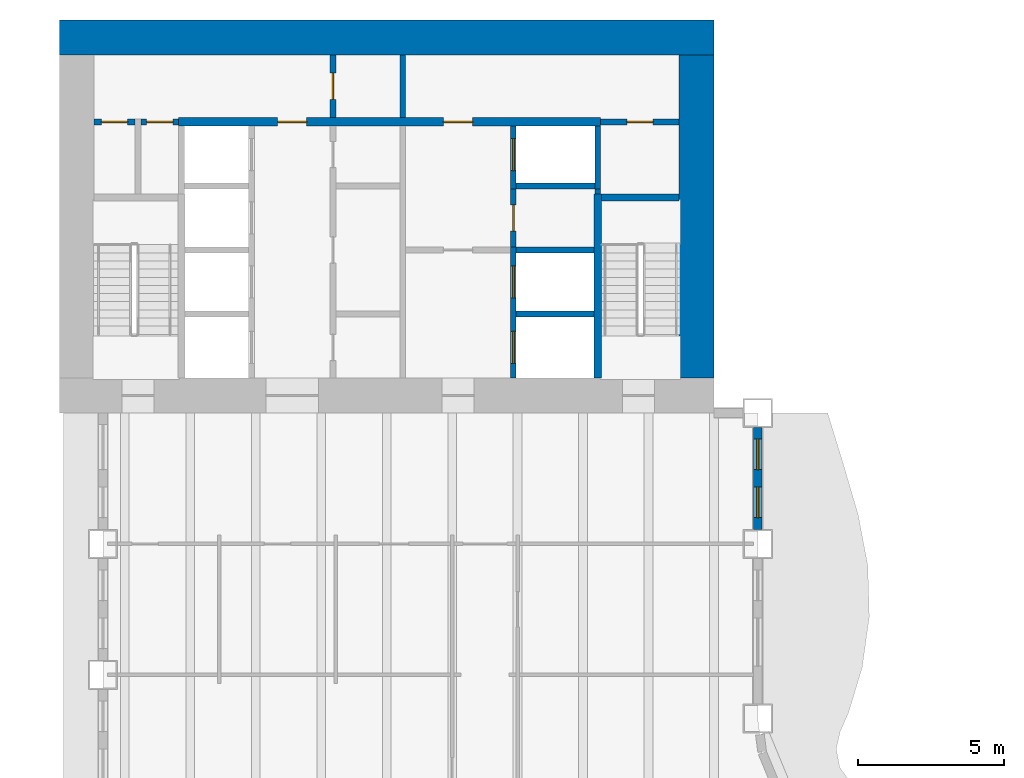
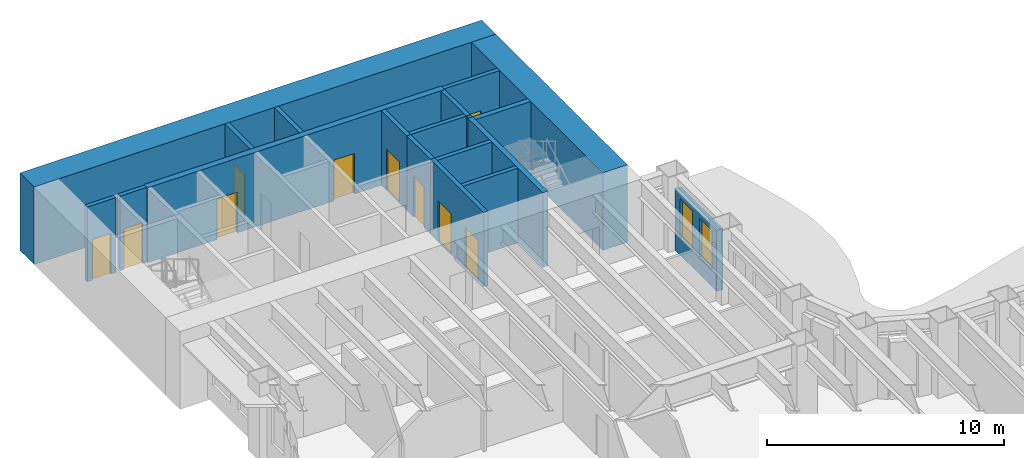
# One storey, part 9 of 16: 19 walls, 10 doors, 2 windows, 12 openings.
"""IFC4 building model written with IfcOpenShell, lengths in metres."""

import ifcopenshell
import ifcopenshell.guid

model = None  # the IFC model being written
_history = None  # IfcOwnerHistory: only IFC2X3 demands one
_inside = {}  # id of a spatial element -> (the spatial element, [elements in it])
_under = {}  # id of a project, library or spatial element -> (it, [spatial elements below it])
_declared = {}  # id of a project -> (the project, [libraries it declares])
_typed = {}  # id of a type object -> (the type object, [elements of that type])
_made_of = {}  # id of a material, layer set ... -> (it, [elements and type objects made of it])


def new_model(schema):
    """Start an empty IFC model of exactly this schema.

    Asked for "IFC4X3", IfcOpenShell would pick the latest addendum, in which some entities
    have other attributes; the version numbers below select the first issue.
    IFC2X3 requires an IfcOwnerHistory on every rooted entity: one is made here for all.
    """
    global model, _history
    if schema == "IFC4X3":
        model = ifcopenshell.file(schema_version=(4, 3, 0, 0))
    else:
        model = ifcopenshell.file(schema=schema)
    _inside.clear()
    _under.clear()
    _declared.clear()
    _typed.clear()
    _made_of.clear()
    _history = None
    if model.schema == "IFC2X3":
        org = make("IfcOrganization", Name="unknown")
        user = make(
            "IfcPersonAndOrganization",
            ThePerson=make("IfcPerson", FamilyName="unknown"),
            TheOrganization=org,
        )
        app = make(
            "IfcApplication",
            ApplicationDeveloper=org,
            Version="unknown",
            ApplicationFullName="unknown",
            ApplicationIdentifier="unknown",
        )
        _history = make(
            "IfcOwnerHistory",
            OwningUser=user,
            OwningApplication=app,
            ChangeAction="ADDED",
            CreationDate=0,
        )
    return model


def make(cls, **values):
    """One entity of the class cls with the attributes given. An attribute that is None is left unset."""
    return model.create_entity(
        cls, **{name: value for name, value in values.items() if value is not None}
    )


def rooted(cls, **values):
    """An entity with a GlobalId (a new one), such as an element, a storey or a relation."""
    return make(cls, GlobalId=ifcopenshell.guid.new(), OwnerHistory=_history, **values)


def si_unit(unit_type, name, prefix=None):
    """IfcSIUnit, for example si_unit("LENGTHUNIT", "METRE", prefix="MILLI")."""
    return make("IfcSIUnit", UnitType=unit_type, Prefix=prefix, Name=name)


def assignment(units):
    """IfcUnitAssignment: the units of a project."""
    return None if units is None else make("IfcUnitAssignment", Units=units)


def point(xyz):
    """IfcCartesianPoint."""
    return None if xyz is None else make("IfcCartesianPoint", Coordinates=xyz)


def direction(xyz):
    """IfcDirection."""
    return None if xyz is None else make("IfcDirection", DirectionRatios=xyz)


def frame(location, z_axis=None, x_axis=None):
    """IfcAxis2Placement3D, a coordinate frame: its origin and axes. An axis left out is left unset."""
    return make(
        "IfcAxis2Placement3D",
        Location=point(location),
        Axis=direction(z_axis),
        RefDirection=direction(x_axis),
    )


def frame_2d(location, x_axis=None):
    """IfcAxis2Placement2D, a coordinate frame in the plane: its origin and x axis."""
    return make(
        "IfcAxis2Placement2D", Location=point(location), RefDirection=direction(x_axis)
    )


def origin():
    """The frame at (0, 0, 0) with its axes left unset."""
    return frame((0.0, 0.0, 0.0))


def place(relative_to, where):
    """IfcLocalPlacement: puts the frame where relative to a parent placement (None: the world)."""
    return make(
        "IfcLocalPlacement", PlacementRelTo=relative_to, RelativePlacement=where
    )


def context(
    kind, dimensions, precision=None, world=None, true_north=None, identifier=None
):
    """IfcGeometricRepresentationContext, for example the 3D "Model" context."""
    return make(
        "IfcGeometricRepresentationContext",
        ContextIdentifier=identifier,
        ContextType=kind,
        CoordinateSpaceDimension=dimensions,
        Precision=precision,
        WorldCoordinateSystem=world,
        TrueNorth=true_north,
    )


def subcontext(parent, identifier, kind, view, scale=None):
    """IfcGeometricRepresentationSubContext, for example "Body" below "Model"."""
    return make(
        "IfcGeometricRepresentationSubContext",
        ContextIdentifier=identifier,
        ContextType=kind,
        ParentContext=parent,
        TargetScale=scale,
        TargetView=view,
    )


def project(units=None, contexts=None):
    """IfcProject with its units and contexts."""
    return rooted(
        "IfcProject",
        Name="project",
        RepresentationContexts=contexts,
        UnitsInContext=assignment(units),
    )


def spatial(cls, under=None, at=None, **own):
    """A site, building, storey or space (cls), placed at a placement, below another one or the project."""
    s = rooted(cls, ObjectPlacement=at, **own)
    if under is not None:
        _under.setdefault(under.id(), (under, []))[1].append(s)
    return s


def profile(cls, at=None, kind="AREA", **sizes):
    """A parametric profile (cls). Its sizes go by their IFC names, for example OverallWidth=200.0."""
    return make(cls, ProfileType=kind, Position=at, **sizes)


def rectangle(**sizes):
    """IfcRectangleProfileDef."""
    return profile("IfcRectangleProfileDef", **sizes)


def extrude(swept, where, along, depth):
    """IfcExtrudedAreaSolid: the profile swept, set in the frame where, extruded along a direction by depth."""
    return make(
        "IfcExtrudedAreaSolid",
        SweptArea=swept,
        Position=where,
        ExtrudedDirection=direction(along),
        Depth=depth,
    )


def shape(context_of_items, identifier, shape_type, items):
    """IfcShapeRepresentation: the items that make up one representation, for example the "Body"."""
    return make(
        "IfcShapeRepresentation",
        ContextOfItems=context_of_items,
        RepresentationIdentifier=identifier,
        RepresentationType=shape_type,
        Items=items,
    )


def material(Name=None, Category=None):
    """IfcMaterial."""
    return make("IfcMaterial", Name=Name, Category=Category)


def layer(
    of_material, thickness, ventilated=None, Name=None, Category=None, Priority=None
):
    """IfcMaterialLayer: one layer of a wall or slab, of a material (None: an air gap)."""
    return make(
        "IfcMaterialLayer",
        Material=of_material,
        LayerThickness=thickness,
        IsVentilated=ventilated,
        Name=Name,
        Category=Category,
        Priority=Priority,
    )


def layer_set(layers, Name=None):
    """IfcMaterialLayerSet."""
    return make("IfcMaterialLayerSet", MaterialLayers=layers, LayerSetName=Name)


def made_of(thing, what):
    """Note that an element or type object is made of a material, layer set ...; save() writes the relation."""
    if what is not None:
        _made_of.setdefault(what.id(), (what, []))[1].append(thing)
    return thing


def type_object(cls, material=None, **own):
    """A type object (cls), such as IfcWallType, which elements share."""
    return made_of(rooted(cls, **own), material)


def element(
    cls,
    number,
    at=None,
    inside=None,
    cuts=None,
    type_object=None,
    material=None,
    context=None,
    identifier="Body",
    shape_type=None,
    held_by="IfcProductDefinitionShape",
    body=None,
    shapes=None,
    **own,
):
    """One element of the class cls, such as IfcWall. Its Tag is "e" and its number.

    at: its placement. inside: the storey or other place that contains it. cuts: it is an
    opening in that element (IfcRelVoidsElement). A single representation is given by context,
    identifier, shape_type and body (its items); several are given by shapes. held_by: the class
    of the entity that holds the representations. save() writes the other relations.
    """
    e = rooted(cls, Tag="e%d" % number, ObjectPlacement=at, **own)
    if body is not None:
        shapes = [shape(context, identifier, shape_type, body)]
    if shapes is not None:
        e.Representation = make(held_by, Representations=shapes)
    if inside is not None:
        _inside.setdefault(inside.id(), (inside, []))[1].append(e)
    if cuts is not None:
        rooted(
            "IfcRelVoidsElement", RelatingBuildingElement=cuts, RelatedOpeningElement=e
        )
    if type_object is not None:
        _typed.setdefault(type_object.id(), (type_object, []))[1].append(e)
    return made_of(e, material)


def fill(opening, filler):
    """IfcRelFillsElement: the door or window that sits in an opening."""
    return rooted(
        "IfcRelFillsElement",
        RelatingOpeningElement=opening,
        RelatedBuildingElement=filler,
    )


def aggregate(whole, parts):
    """IfcRelAggregates: a whole, such as a stair, and the parts it consists of."""
    return rooted("IfcRelAggregates", RelatingObject=whole, RelatedObjects=parts)


def save(model, path):
    """Write the relations noted so far, then the file.

    IfcRelAggregates (storeys below a building ...), IfcRelContainedInSpatialStructure (elements
    in a storey), IfcRelDefinesByType, IfcRelAssociatesMaterial and IfcRelDeclares: one each for
    every whole, place, type object, material and project.
    """
    for whole, parts in _under.values():
        aggregate(whole, parts)
    for where, things in _inside.values():
        rooted(
            "IfcRelContainedInSpatialStructure",
            RelatedElements=things,
            RelatingStructure=where,
        )
    for kind, things in _typed.values():
        rooted("IfcRelDefinesByType", RelatedObjects=things, RelatingType=kind)
    for what, things in _made_of.values():
        rooted("IfcRelAssociatesMaterial", RelatedObjects=things, RelatingMaterial=what)
    for by, libraries in _declared.values():
        rooted("IfcRelDeclares", RelatingContext=by, RelatedDefinitions=libraries)
    model.write(path)


model = new_model("IFC4")

# Units and contexts
model_context = context("Model", 3, precision=1e-05, world=origin(), true_north=direction((0.0, 1.0)))
body_context = subcontext(model_context, "Body", "Model", "MODEL_VIEW")
ifc_project = project(units=[si_unit("LENGTHUNIT", "METRE"), si_unit("AREAUNIT", "SQUARE_METRE"), si_unit("VOLUMEUNIT", "CUBIC_METRE"), si_unit("PLANEANGLEUNIT", "RADIAN"), si_unit("MASSUNIT", "GRAM", prefix="KILO")], contexts=[model_context])

# Site, building, storey
site_placement = place(None, origin())
site = spatial("IfcSite", under=ifc_project, at=site_placement, CompositionType="ELEMENT")
building_placement = place(site_placement, origin())
building = spatial("IfcBuilding", under=site, at=building_placement, Name="Sennacour Bend Tower", CompositionType="ELEMENT")
storey_placement = place(building_placement, frame((0.0, 0.0, 99.0)))
storey = spatial("IfcBuildingStorey", under=building, at=storey_placement, Name="L22", CompositionType="ELEMENT", Elevation=99.0)

# Walls
ifc_material_1 = material(Name="Concrete C80/95", Category="concrete")
ifc_layer_1 = layer(ifc_material_1, 1.199951171875, Name="Concrete C80/95", Category="concrete")
ifc_layer_set_1 = layer_set([ifc_layer_1], Name="Concrete C80/95")
wall_type_1 = type_object("IfcWallType", Name="Core wall 1200 C80/95", PredefinedType="SHEAR", material=ifc_layer_set_1)
wall_1_placement = place(storey_placement, frame((0.0, 48.89990234375, -0.14990234375), z_axis=(0.0, 0.0, 1.0), x_axis=(1.0, 0.0, 0.0)))
element("IfcWall", 1, at=wall_1_placement, inside=storey, type_object=wall_type_1, Name="Core B wall L22 N", PredefinedType="SHEAR", context=body_context, shape_type="SweptSolid", body=[
    extrude(rectangle(XDim=22.5, YDim=1.199951171875, at=frame_2d((11.25, 0.0))), origin(), (0.0, 0.0, 1.0), 4.0),
])
wall_2_placement = place(storey_placement, frame((21.89990234375, 37.199951171875, -0.14990234375), z_axis=(0.0, 0.0, 1.0), x_axis=(0.0, 1.0, 0.0)))
element("IfcWall", 2, at=wall_2_placement, inside=storey, type_object=wall_type_1, Name="Core B wall L22 E", PredefinedType="SHEAR", context=body_context, shape_type="SweptSolid", body=[
    extrude(rectangle(XDim=11.10009765625, YDim=1.199951171875, at=frame_2d((5.550048828125, 0.0))), origin(), (0.0, 0.0, 1.0), 4.0),
])

# Wall, opening, door
ifc_material_2 = material(Name="Fire-rated plasterboard partition on steel studs", Category="steel")
ifc_layer_2 = layer(ifc_material_2, 0.199951171875, Name="Fire-rated plasterboard partition on steel studs", Category="steel")
ifc_layer_set_2 = layer_set([ifc_layer_2], Name="Fire-rated plasterboard partition on steel studs")
wall_type_2 = type_object("IfcWallType", Name="Rated partition 200", PredefinedType="PARTITIONING", material=ifc_layer_set_2)
wall_3_placement = place(storey_placement, frame((9.39990234375, 46.14990234375, 0.0), z_axis=(0.0, 0.0, 1.0), x_axis=(0.0, 1.0, 0.0)))
wall_3 = element("IfcWall", 3, at=wall_3_placement, inside=storey, type_object=wall_type_2, Name="P-L22-W010b", PredefinedType="PARTITIONING", context=body_context, shape_type="SweptSolid", body=[
    extrude(rectangle(XDim=2.150146484375, YDim=0.199951171875, at=frame_2d((1.0751953125, 0.0))), origin(), (0.0, 0.0, 1.0), 3.85009765625),
])
opening_1_placement = place(wall_3_placement, frame((0.625, 0.0, 0.0)))
opening_1 = element("IfcOpeningElement", 4, at=opening_1_placement, cuts=wall_3, Name="Opening SV", PredefinedType="OPENING", context=body_context, shape_type="SweptSolid", body=[
    extrude(rectangle(XDim=0.89990234375, YDim=2.10009765625, at=frame_2d((0.449951171875, 1.050048828125))), frame((0.0, 0.10986328125, 0.0), z_axis=(0.0, -1.0, 0.0), x_axis=(1.0, 0.0, 0.0)), (0.0, 0.0, 1.0), 0.219970703125),
])
ifc_material_3 = material(Name="Painted steel", Category="steel")
door_type_1 = type_object("IfcDoorType", Name="DR-SERVICE-900", OperationType="NOTDEFINED", PredefinedType="DOOR", material=ifc_material_3)
door_1_placement = place(opening_1_placement, origin())
door_1 = element("IfcDoor", 5, at=door_1_placement, inside=storey, type_object=door_type_1, Name="Door", OperationType="SINGLE_SWING_LEFT", OverallHeight=2.10009765625, OverallWidth=0.89990234375, PredefinedType="DOOR", context=body_context, shape_type="SweptSolid", body=[
    extrude(rectangle(XDim=0.89990234375, YDim=2.10009765625, at=frame_2d((0.449951171875, 1.050048828125))), frame((0.0, 0.02490234375, 0.0), z_axis=(0.0, -1.0, 0.0), x_axis=(1.0, 0.0, 0.0)), (0.0, 0.0, 1.0), 0.050048828125),
])
fill(opening_1, door_1)

# Wall
wall_4_placement = place(storey_placement, frame((11.800048828125, 46.14990234375, 0.0), z_axis=(0.0, 0.0, 1.0), x_axis=(0.0, 1.0, 0.0)))
element("IfcWall", 6, at=wall_4_placement, inside=storey, type_object=wall_type_2, Name="P-L22-W013b", PredefinedType="PARTITIONING", context=body_context, shape_type="SweptSolid", body=[
    extrude(rectangle(XDim=2.150146484375, YDim=0.199951171875, at=frame_2d((1.0751953125, 0.0))), origin(), (0.0, 0.0, 1.0), 3.85009765625),
])

# Wall, opening, door
wall_5_placement = place(storey_placement, frame((15.60009765625, 41.699951171875, 0.0), z_axis=(0.0, 0.0, 1.0), x_axis=(0.0, 1.0, 0.0)))
wall_5 = element("IfcWall", 7, at=wall_5_placement, inside=storey, type_object=wall_type_2, Name="P-L22-W016", PredefinedType="PARTITIONING", context=body_context, shape_type="SweptSolid", body=[
    extrude(rectangle(XDim=2.0, YDim=0.199951171875, at=frame_2d((1.0, 0.0))), origin(), (0.0, 0.0, 1.0), 3.85009765625),
])
opening_2_placement = place(wall_5_placement, frame((0.550048828125, 0.0, 0.0)))
opening_2 = element("IfcOpeningElement", 8, at=opening_2_placement, cuts=wall_5, Name="Opening SV", PredefinedType="OPENING", context=body_context, shape_type="SweptSolid", body=[
    extrude(rectangle(XDim=0.89990234375, YDim=2.10009765625, at=frame_2d((0.449951171875, 1.050048828125))), frame((0.0, 0.10986328125, 0.0), z_axis=(0.0, -1.0, 0.0), x_axis=(1.0, 0.0, 0.0)), (0.0, 0.0, 1.0), 0.219970703125),
])
door_2_placement = place(opening_2_placement, origin())
door_2 = element("IfcDoor", 9, at=door_2_placement, inside=storey, type_object=door_type_1, Name="Door", OperationType="SINGLE_SWING_RIGHT", OverallHeight=2.10009765625, OverallWidth=0.89990234375, PredefinedType="DOOR", context=body_context, shape_type="SweptSolid", body=[
    extrude(rectangle(XDim=0.89990234375, YDim=2.10009765625, at=frame_2d((0.449951171875, 1.050048828125))), frame((0.0, 0.02490234375, 0.0), z_axis=(0.0, -1.0, 0.0), x_axis=(1.0, 0.0, 0.0)), (0.0, 0.0, 1.0), 0.050048828125),
])
fill(opening_2, door_2)

# Wall
wall_6_placement = place(storey_placement, frame((18.5, 43.52490234375, 0.0), z_axis=(0.0, 0.0, 1.0), x_axis=(0.0, 1.0, 0.0)))
element("IfcWall", 10, at=wall_6_placement, inside=storey, type_object=wall_type_2, Name="P-L22-W021", PredefinedType="PARTITIONING", context=body_context, shape_type="SweptSolid", body=[
    extrude(rectangle(XDim=0.175048828125, YDim=0.199951171875, at=frame_2d((0.08740234375, 0.0))), origin(), (0.0, 0.0, 1.0), 3.85009765625),
])

# Wall, opening, door
wall_7_placement = place(storey_placement, frame((1.199951171875, 46.0, 0.0), z_axis=(0.0, 0.0, 1.0), x_axis=(1.0, 0.0, 0.0)))
wall_7 = element("IfcWall", 11, at=wall_7_placement, inside=storey, type_object=wall_type_2, Name="P-L22-W089a", PredefinedType="PARTITIONING", context=body_context, shape_type="SweptSolid", body=[
    extrude(rectangle(XDim=1.400146484375, YDim=0.199951171875, at=frame_2d((0.7001953125, 0.0))), origin(), (0.0, 0.0, 1.0), 3.85009765625),
])
opening_3_placement = place(wall_7_placement, frame((0.25, 0.0, 0.0)))
opening_3 = element("IfcOpeningElement", 12, at=opening_3_placement, cuts=wall_7, Name="Opening SV", PredefinedType="OPENING", context=body_context, shape_type="SweptSolid", body=[
    extrude(rectangle(XDim=0.89990234375, YDim=2.10009765625, at=frame_2d((0.449951171875, 1.050048828125))), frame((0.0, 0.10986328125, 0.0), z_axis=(0.0, -1.0, 0.0), x_axis=(1.0, 0.0, 0.0)), (0.0, 0.0, 1.0), 0.219970703125),
])
door_3_placement = place(opening_3_placement, origin())
door_3 = element("IfcDoor", 13, at=door_3_placement, inside=storey, type_object=door_type_1, Name="Door", OperationType="SINGLE_SWING_LEFT", OverallHeight=2.10009765625, OverallWidth=0.89990234375, PredefinedType="DOOR", context=body_context, shape_type="SweptSolid", body=[
    extrude(rectangle(XDim=0.89990234375, YDim=2.10009765625, at=frame_2d((0.449951171875, 1.050048828125))), frame((0.0, 0.02490234375, 0.0), z_axis=(0.0, -1.0, 0.0), x_axis=(1.0, 0.0, 0.0)), (0.0, 0.0, 1.0), 0.050048828125),
])
fill(opening_3, door_3)

wall_8_placement = place(storey_placement, frame((2.800048828125, 46.0, 0.0), z_axis=(0.0, 0.0, 1.0), x_axis=(1.0, 0.0, 0.0)))
wall_8 = element("IfcWall", 14, at=wall_8_placement, inside=storey, type_object=wall_type_2, Name="P-L22-W089b", PredefinedType="PARTITIONING", context=body_context, shape_type="SweptSolid", body=[
    extrude(rectangle(XDim=1.300048828125, YDim=0.199951171875, at=frame_2d((0.64990234375, 0.0))), origin(), (0.0, 0.0, 1.0), 3.85009765625),
])
opening_4_placement = place(wall_8_placement, frame((0.199951171875, 0.0, 0.0)))
opening_4 = element("IfcOpeningElement", 15, at=opening_4_placement, cuts=wall_8, Name="Opening SV", PredefinedType="OPENING", context=body_context, shape_type="SweptSolid", body=[
    extrude(rectangle(XDim=0.89990234375, YDim=2.10009765625, at=frame_2d((0.449951171875, 1.050048828125))), frame((0.0, 0.10986328125, 0.0), z_axis=(0.0, -1.0, 0.0), x_axis=(1.0, 0.0, 0.0)), (0.0, 0.0, 1.0), 0.219970703125),
])
door_4_placement = place(opening_4_placement, origin())
door_4 = element("IfcDoor", 16, at=door_4_placement, inside=storey, type_object=door_type_1, Name="Door", OperationType="SINGLE_SWING_LEFT", OverallHeight=2.10009765625, OverallWidth=0.89990234375, PredefinedType="DOOR", context=body_context, shape_type="SweptSolid", body=[
    extrude(rectangle(XDim=0.89990234375, YDim=2.10009765625, at=frame_2d((0.449951171875, 1.050048828125))), frame((0.0, 0.02490234375, 0.0), z_axis=(0.0, -1.0, 0.0), x_axis=(1.0, 0.0, 0.0)), (0.0, 0.0, 1.0), 0.050048828125),
])
fill(opening_4, door_4)

wall_9_placement = place(storey_placement, frame((18.60009765625, 46.0, 0.0), z_axis=(0.0, 0.0, 1.0), x_axis=(1.0, 0.0, 0.0)))
wall_9 = element("IfcWall", 17, at=wall_9_placement, inside=storey, type_object=wall_type_2, Name="P-L22-W091", PredefinedType="PARTITIONING", context=body_context, shape_type="SweptSolid", body=[
    extrude(rectangle(XDim=2.699951171875, YDim=0.199951171875, at=frame_2d((1.35009765625, 0.0))), origin(), (0.0, 0.0, 1.0), 3.85009765625),
])
opening_5_placement = place(wall_9_placement, frame((0.89990234375, 0.0, 0.0)))
opening_5 = element("IfcOpeningElement", 18, at=opening_5_placement, cuts=wall_9, Name="Opening WD", PredefinedType="OPENING", context=body_context, shape_type="SweptSolid", body=[
    extrude(rectangle(XDim=0.89990234375, YDim=2.10009765625, at=frame_2d((0.449951171875, 1.050048828125))), frame((0.0, 0.10986328125, 0.0), z_axis=(0.0, -1.0, 0.0), x_axis=(1.0, 0.0, 0.0)), (0.0, 0.0, 1.0), 0.219970703125),
])
ifc_material_4 = material(Name="Timber", Category="wood")
door_type_2 = type_object("IfcDoorType", Name="DR-WC-900", OperationType="NOTDEFINED", PredefinedType="DOOR", material=ifc_material_4)
door_5_placement = place(opening_5_placement, origin())
door_5 = element("IfcDoor", 19, at=door_5_placement, inside=storey, type_object=door_type_2, Name="Door", OperationType="SINGLE_SWING_LEFT", OverallHeight=2.10009765625, OverallWidth=0.89990234375, PredefinedType="DOOR", context=body_context, shape_type="SweptSolid", body=[
    extrude(rectangle(XDim=0.89990234375, YDim=2.10009765625, at=frame_2d((0.449951171875, 1.050048828125))), frame((0.0, 0.02490234375, 0.0), z_axis=(0.0, -1.0, 0.0), x_axis=(1.0, 0.0, 0.0)), (0.0, 0.0, 1.0), 0.050048828125),
])
fill(opening_5, door_5)

# Wall, openings, windows
ifc_material_5 = material(Name="Warm limestone cladding", Category="masonry")
ifc_layer_3 = layer(ifc_material_5, 0.050048828125, Name="Warm limestone cladding", Category="masonry")
ifc_material_6 = material(Name="Precast concrete C40/50", Category="concrete")
ifc_layer_4 = layer(ifc_material_6, 0.25, Name="Precast concrete C40/50", Category="concrete")
ifc_layer_set_3 = layer_set([ifc_layer_3, ifc_layer_4], Name="Precast concrete C40/50 with limestone cladding")
wall_type_3 = type_object("IfcWallType", Name="STONE-CLAD PRECAST SPANDREL 300", PredefinedType="STANDARD", material=ifc_layer_set_3)
wall_10_placement = place(storey_placement, frame((24.0, 32.0, 0.0), z_axis=(0.0, 0.0, 1.0), x_axis=(0.0, 1.0, 0.0)))
wall_10 = element("IfcWall", 20, at=wall_10_placement, inside=storey, type_object=wall_type_3, Name="Stone spandrel and pier wall L22 13.01", PredefinedType="STANDARD", context=body_context, shape_type="SweptSolid", body=[
    extrude(rectangle(XDim=3.5, YDim=0.300048828125, at=frame_2d((1.75, 0.0))), origin(), (0.0, 0.0, 1.0), 3.154052734375),
])
opening_6_placement = place(wall_10_placement, frame((0.39990234375, 0.0, 0.89990234375)))
opening_6 = element("IfcOpeningElement", 21, at=opening_6_placement, cuts=wall_10, Name="Opening W13", PredefinedType="OPENING", context=body_context, shape_type="SweptSolid", body=[
    extrude(rectangle(XDim=1.050048828125, YDim=2.0, at=frame_2d((0.52490234375, 1.0))), frame((0.0, 0.16015625, 0.0), z_axis=(0.0, -1.0, 0.0), x_axis=(1.0, 0.0, 0.0)), (0.0, 0.0, 1.0), 0.320068359375),
])
opening_7_placement = place(wall_10_placement, frame((2.050048828125, 0.0, 0.89990234375)))
opening_7 = element("IfcOpeningElement", 22, at=opening_7_placement, cuts=wall_10, Name="Opening W13", PredefinedType="OPENING", context=body_context, shape_type="SweptSolid", body=[
    extrude(rectangle(XDim=1.050048828125, YDim=2.0, at=frame_2d((0.52490234375, 1.0))), frame((0.0, 0.16015625, 0.0), z_axis=(0.0, -1.0, 0.0), x_axis=(1.0, 0.0, 0.0)), (0.0, 0.0, 1.0), 0.320068359375),
])
ifc_material_7 = material(Name="Clear low-emissivity glass", Category="glass")
window_type = type_object("IfcWindowType", Name="WIN-RIBBON-1050x2000", PartitioningType="SINGLE_PANEL", PredefinedType="WINDOW", material=ifc_material_7)
window_1_placement = place(opening_6_placement, origin())
window_1 = element("IfcWindow", 23, at=window_1_placement, inside=storey, type_object=window_type, Name="Ribbon window L22 13.01.0", OverallHeight=2.0, OverallWidth=1.050048828125, PartitioningType="SINGLE_PANEL", PredefinedType="WINDOW", context=body_context, shape_type="SweptSolid", body=[
    extrude(rectangle(XDim=1.050048828125, YDim=2.0, at=frame_2d((0.52490234375, 1.0))), frame((0.0, 0.030029296875, 0.0), z_axis=(0.0, -1.0, 0.0), x_axis=(1.0, 0.0, 0.0)), (0.0, 0.0, 1.0), 0.06005859375),
])
fill(opening_6, window_1)
window_2_placement = place(opening_7_placement, origin())
window_2 = element("IfcWindow", 24, at=window_2_placement, inside=storey, type_object=window_type, Name="Ribbon window L22 13.01.1", OverallHeight=2.0, OverallWidth=1.050048828125, PartitioningType="SINGLE_PANEL", PredefinedType="WINDOW", context=body_context, shape_type="SweptSolid", body=[
    extrude(rectangle(XDim=1.050048828125, YDim=2.0, at=frame_2d((0.52490234375, 1.0))), frame((0.0, 0.030029296875, 0.0), z_axis=(0.0, -1.0, 0.0), x_axis=(1.0, 0.0, 0.0)), (0.0, 0.0, 1.0), 0.06005859375),
])
fill(opening_7, window_2)

# Wall, openings, doors
ifc_material_8 = material(Name="Concrete C50/60", Category="concrete")
ifc_layer_5 = layer(ifc_material_8, 0.199951171875, Name="Concrete C50/60", Category="concrete")
ifc_layer_set_4 = layer_set([ifc_layer_5], Name="Concrete C50/60")
wall_type_4 = type_object("IfcWallType", Name="Shaft wall 200", PredefinedType="SOLIDWALL", material=ifc_layer_set_4)
wall_11_placement = place(storey_placement, frame((15.60009765625, 37.199951171875, 0.0), z_axis=(0.0, 0.0, 1.0), x_axis=(0.0, 1.0, 0.0)))
wall_11 = element("IfcWall", 25, at=wall_11_placement, inside=storey, type_object=wall_type_4, Name="P-L22-W015", PredefinedType="SOLIDWALL", context=body_context, shape_type="SweptSolid", body=[
    extrude(rectangle(XDim=4.5, YDim=0.199951171875, at=frame_2d((2.25, 0.0))), origin(), (0.0, 0.0, 1.0), 3.85009765625),
])
opening_8_placement = place(wall_11_placement, frame((0.5, 0.0, 0.011962890625)))
opening_8 = element("IfcOpeningElement", 26, at=opening_8_placement, cuts=wall_11, Name="Opening FLD", PredefinedType="OPENING", context=body_context, shape_type="SweptSolid", body=[
    extrude(rectangle(XDim=1.10009765625, YDim=2.10009765625, at=frame_2d((0.550048828125, 1.050048828125))), frame((0.0, 0.10986328125, 0.0), z_axis=(0.0, -1.0, 0.0), x_axis=(1.0, 0.0, 0.0)), (0.0, 0.0, 1.0), 0.219970703125),
])
opening_9_placement = place(wall_11_placement, frame((2.75, 0.0, 0.011962890625)))
opening_9 = element("IfcOpeningElement", 27, at=opening_9_placement, cuts=wall_11, Name="Opening FLD", PredefinedType="OPENING", context=body_context, shape_type="SweptSolid", body=[
    extrude(rectangle(XDim=1.10009765625, YDim=2.10009765625, at=frame_2d((0.550048828125, 1.050048828125))), frame((0.0, 0.10986328125, 0.0), z_axis=(0.0, -1.0, 0.0), x_axis=(1.0, 0.0, 0.0)), (0.0, 0.0, 1.0), 0.219970703125),
])
ifc_material_9 = material(Name="Stainless steel", Category="steel")
door_type_3 = type_object("IfcDoorType", Name="DR-FF-LANDING-1100", OperationType="NOTDEFINED", PredefinedType="DOOR", material=ifc_material_9)
door_6_placement = place(opening_8_placement, origin())
door_6 = element("IfcDoor", 28, at=door_6_placement, inside=storey, type_object=door_type_3, Name="Fire service lift landing door FB1", OperationType="SLIDING_TO_LEFT", OverallHeight=2.10009765625, OverallWidth=1.10009765625, PredefinedType="DOOR", context=body_context, shape_type="SweptSolid", body=[
    extrude(rectangle(XDim=1.10009765625, YDim=2.10009765625, at=frame_2d((0.550048828125, 1.050048828125))), frame((0.0, 0.02490234375, 0.0), z_axis=(0.0, -1.0, 0.0), x_axis=(1.0, 0.0, 0.0)), (0.0, 0.0, 1.0), 0.050048828125),
])
fill(opening_8, door_6)
door_7_placement = place(opening_9_placement, origin())
door_7 = element("IfcDoor", 29, at=door_7_placement, inside=storey, type_object=door_type_3, Name="Fire service lift landing door FB2", OperationType="SLIDING_TO_RIGHT", OverallHeight=2.10009765625, OverallWidth=1.10009765625, PredefinedType="DOOR", context=body_context, shape_type="SweptSolid", body=[
    extrude(rectangle(XDim=1.10009765625, YDim=2.10009765625, at=frame_2d((0.550048828125, 1.050048828125))), frame((0.0, 0.02490234375, 0.0), z_axis=(0.0, -1.0, 0.0), x_axis=(1.0, 0.0, 0.0)), (0.0, 0.0, 1.0), 0.050048828125),
])
fill(opening_9, door_7)

# Wall, opening, door
wall_12_placement = place(storey_placement, frame((15.60009765625, 43.699951171875, 0.0), z_axis=(0.0, 0.0, 1.0), x_axis=(0.0, 1.0, 0.0)))
wall_12 = element("IfcWall", 30, at=wall_12_placement, inside=storey, type_object=wall_type_4, Name="P-L22-W017", PredefinedType="SOLIDWALL", context=body_context, shape_type="SweptSolid", body=[
    extrude(rectangle(XDim=2.150146484375, YDim=0.199951171875, at=frame_2d((1.0751953125, 0.0))), origin(), (0.0, 0.0, 1.0), 3.85009765625),
])
opening_10_placement = place(wall_12_placement, frame((0.625, 0.0, 0.011962890625)))
opening_10 = element("IfcOpeningElement", 31, at=opening_10_placement, cuts=wall_12, Name="Opening LD", PredefinedType="OPENING", context=body_context, shape_type="SweptSolid", body=[
    extrude(rectangle(XDim=1.10009765625, YDim=2.10009765625, at=frame_2d((0.550048828125, 1.050048828125))), frame((0.0, 0.10986328125, 0.0), z_axis=(0.0, -1.0, 0.0), x_axis=(1.0, 0.0, 0.0)), (0.0, 0.0, 1.0), 0.219970703125),
])
door_type_4 = type_object("IfcDoorType", Name="DR-LANDING-1100", OperationType="NOTDEFINED", PredefinedType="DOOR", material=ifc_material_9)
door_8_placement = place(opening_10_placement, origin())
door_8 = element("IfcDoor", 32, at=door_8_placement, inside=storey, type_object=door_type_4, Name="Lift landing door LB5", OperationType="SLIDING_TO_LEFT", OverallHeight=2.10009765625, OverallWidth=1.10009765625, PredefinedType="DOOR", context=body_context, shape_type="SweptSolid", body=[
    extrude(rectangle(XDim=1.10009765625, YDim=2.10009765625, at=frame_2d((0.550048828125, 1.050048828125))), frame((0.0, 0.02490234375, 0.0), z_axis=(0.0, -1.0, 0.0), x_axis=(1.0, 0.0, 0.0)), (0.0, 0.0, 1.0), 0.050048828125),
])
fill(opening_10, door_8)

# Walls
wall_13_placement = place(storey_placement, frame((18.5, 43.699951171875, 0.0), z_axis=(0.0, 0.0, 1.0), x_axis=(0.0, 1.0, 0.0)))
element("IfcWall", 33, at=wall_13_placement, inside=storey, type_object=wall_type_4, Name="P-L22-W022", PredefinedType="SOLIDWALL", context=body_context, shape_type="SweptSolid", body=[
    extrude(rectangle(XDim=2.150146484375, YDim=0.199951171875, at=frame_2d((1.0751953125, 0.0))), origin(), (0.0, 0.0, 1.0), 3.85009765625),
])
for number, where, z_axis, x_axis, name in (
    (34, (15.699951171875, 39.39990234375, 0.0), (0.0, 0.0, 1.0), (1.0, 0.0, 0.0), "P-L22-W080"),
    (35, (15.699951171875, 41.60009765625, 0.0), (0.0, 0.0, 1.0), (1.0, 0.0, 0.0), "P-L22-W083"),
):
    element("IfcWall", number, at=place(storey_placement, frame(where, z_axis=z_axis, x_axis=x_axis)), inside=storey, type_object=wall_type_4, Name=name, PredefinedType="SOLIDWALL", context=body_context, shape_type="SweptSolid", body=[
        extrude(rectangle(XDim=2.675048828125, YDim=0.199951171875, at=frame_2d((1.33740234375, 0.0))), origin(), (0.0, 0.0, 1.0), 3.85009765625),
    ])
wall_14_placement = place(storey_placement, frame((15.699951171875, 43.800048828125, 0.0), z_axis=(0.0, 0.0, 1.0), x_axis=(1.0, 0.0, 0.0)))
element("IfcWall", 36, at=wall_14_placement, inside=storey, type_object=wall_type_4, Name="P-L22-W088", PredefinedType="SOLIDWALL", context=body_context, shape_type="SweptSolid", body=[
    extrude(rectangle(XDim=2.699951171875, YDim=0.199951171875, at=frame_2d((1.35009765625, 0.0))), origin(), (0.0, 0.0, 1.0), 3.85009765625),
])

# Wall, openings, doors
ifc_material_10 = material(Name="Concrete C60/75", Category="concrete")
ifc_layer_6 = layer(ifc_material_10, 0.300048828125, Name="Concrete C60/75", Category="concrete")
ifc_layer_set_5 = layer_set([ifc_layer_6], Name="Concrete C60/75")
wall_type_5 = type_object("IfcWallType", Name="Spine wall 300", PredefinedType="SHEAR", material=ifc_layer_set_5)
wall_15_placement = place(storey_placement, frame((4.10009765625, 46.0, 0.0), z_axis=(0.0, 0.0, 1.0), x_axis=(1.0, 0.0, 0.0)))
wall_15 = element("IfcWall", 37, at=wall_15_placement, inside=storey, type_object=wall_type_5, Name="P-L22-W090", PredefinedType="SHEAR", context=body_context, shape_type="SweptSolid", body=[
    extrude(rectangle(XDim=14.5, YDim=0.300048828125, at=frame_2d((7.25, 0.0))), origin(), (0.0, 0.0, 1.0), 3.85009765625),
])
opening_11_placement = place(wall_15_placement, frame((3.39990234375, 0.0, 0.0)))
opening_11 = element("IfcOpeningElement", 38, at=opening_11_placement, cuts=wall_15, Name="Opening CD2", PredefinedType="OPENING", context=body_context, shape_type="SweptSolid", body=[
    extrude(rectangle(XDim=1.0, YDim=2.10009765625, at=frame_2d((0.5, 1.050048828125))), frame((0.0, 0.16015625, 0.0), z_axis=(0.0, -1.0, 0.0), x_axis=(1.0, 0.0, 0.0)), (0.0, 0.0, 1.0), 0.320068359375),
])
opening_12_placement = place(wall_15_placement, frame((9.099853515625, 0.0, 0.0)))
opening_12 = element("IfcOpeningElement", 39, at=opening_12_placement, cuts=wall_15, Name="Opening CD2", PredefinedType="OPENING", context=body_context, shape_type="SweptSolid", body=[
    extrude(rectangle(XDim=1.0, YDim=2.10009765625, at=frame_2d((0.5, 1.050048828125))), frame((0.0, 0.16015625, 0.0), z_axis=(0.0, -1.0, 0.0), x_axis=(1.0, 0.0, 0.0)), (0.0, 0.0, 1.0), 0.320068359375),
])
door_type_5 = type_object("IfcDoorType", Name="DR-LOBBY-1000", OperationType="NOTDEFINED", PredefinedType="DOOR", material=ifc_material_3)
door_9_placement = place(opening_11_placement, origin())
door_9 = element("IfcDoor", 40, at=door_9_placement, inside=storey, type_object=door_type_5, Name="Door", OperationType="SINGLE_SWING_LEFT", OverallHeight=2.10009765625, OverallWidth=1.0, PredefinedType="DOOR", context=body_context, shape_type="SweptSolid", body=[
    extrude(rectangle(XDim=1.0, YDim=2.10009765625, at=frame_2d((0.5, 1.050048828125))), frame((0.0, 0.02490234375, 0.0), z_axis=(0.0, -1.0, 0.0), x_axis=(1.0, 0.0, 0.0)), (0.0, 0.0, 1.0), 0.050048828125),
])
fill(opening_11, door_9)
door_10_placement = place(opening_12_placement, origin())
door_10 = element("IfcDoor", 41, at=door_10_placement, inside=storey, type_object=door_type_5, Name="Door", OperationType="SINGLE_SWING_RIGHT", OverallHeight=2.10009765625, OverallWidth=1.0, PredefinedType="DOOR", context=body_context, shape_type="SweptSolid", body=[
    extrude(rectangle(XDim=1.0, YDim=2.10009765625, at=frame_2d((0.5, 1.050048828125))), frame((0.0, 0.02490234375, 0.0), z_axis=(0.0, -1.0, 0.0), x_axis=(1.0, 0.0, 0.0)), (0.0, 0.0, 1.0), 0.050048828125),
])
fill(opening_12, door_10)

# Walls
ifc_layer_7 = layer(ifc_material_10, 0.25, Name="Concrete C60/75", Category="concrete")
ifc_layer_set_6 = layer_set([ifc_layer_7], Name="Concrete C60/75")
wall_type_6 = type_object("IfcWallType", Name="Stair wall 250", PredefinedType="SHEAR", material=ifc_layer_set_6)
wall_16_placement = place(storey_placement, frame((18.5, 37.199951171875, 0.0), z_axis=(0.0, 0.0, 1.0), x_axis=(0.0, 1.0, 0.0)))
element("IfcWall", 42, at=wall_16_placement, inside=storey, type_object=wall_type_6, Name="P-L22-W020", PredefinedType="SHEAR", context=body_context, shape_type="SweptSolid", body=[
    extrude(rectangle(XDim=6.324951171875, YDim=0.25, at=frame_2d((3.16259765625, 0.0))), origin(), (0.0, 0.0, 1.0), 3.85009765625),
])
wall_17_placement = place(storey_placement, frame((18.625, 43.39990234375, 0.0), z_axis=(0.0, 0.0, 1.0), x_axis=(1.0, 0.0, 0.0)))
element("IfcWall", 43, at=wall_17_placement, inside=storey, type_object=wall_type_6, Name="P-L22-W085", PredefinedType="SHEAR", context=body_context, shape_type="SweptSolid", body=[
    extrude(rectangle(XDim=2.675048828125, YDim=0.25, at=frame_2d((1.33740234375, 0.0))), origin(), (0.0, 0.0, 1.0), 3.85009765625),
])

save(model, "model.ifc")
